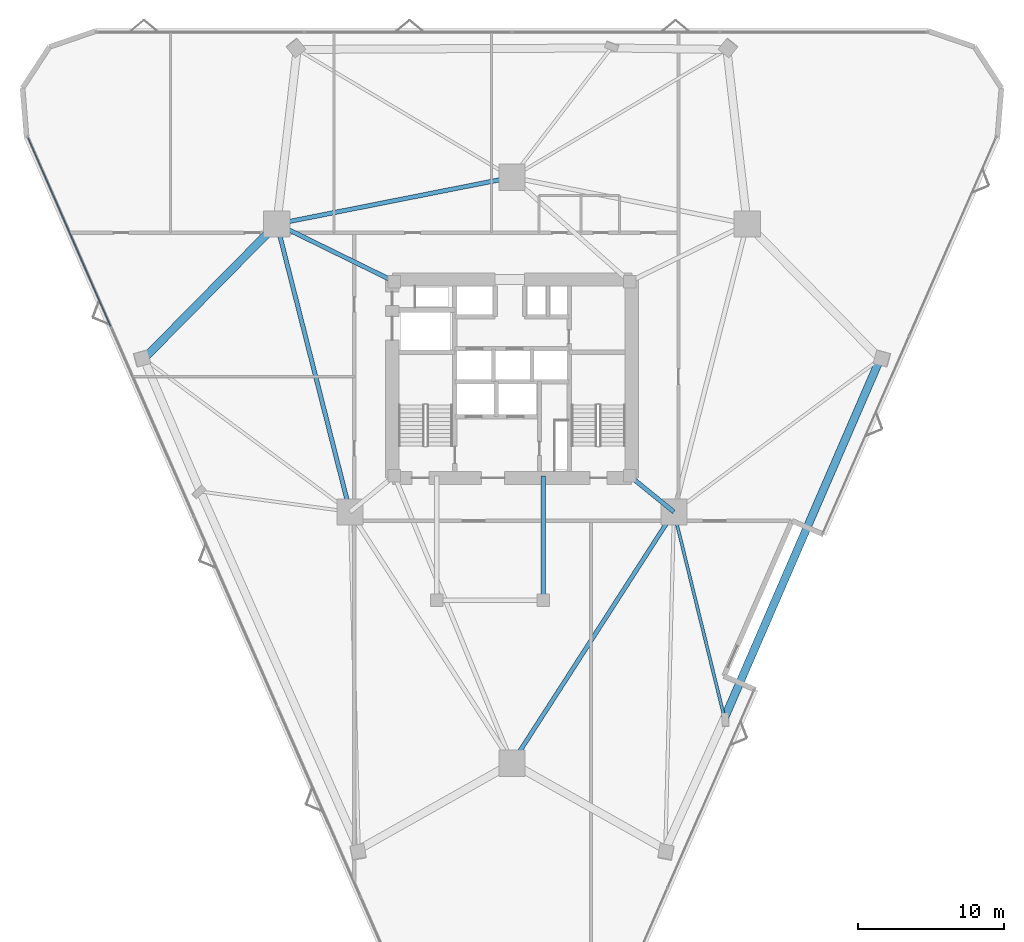
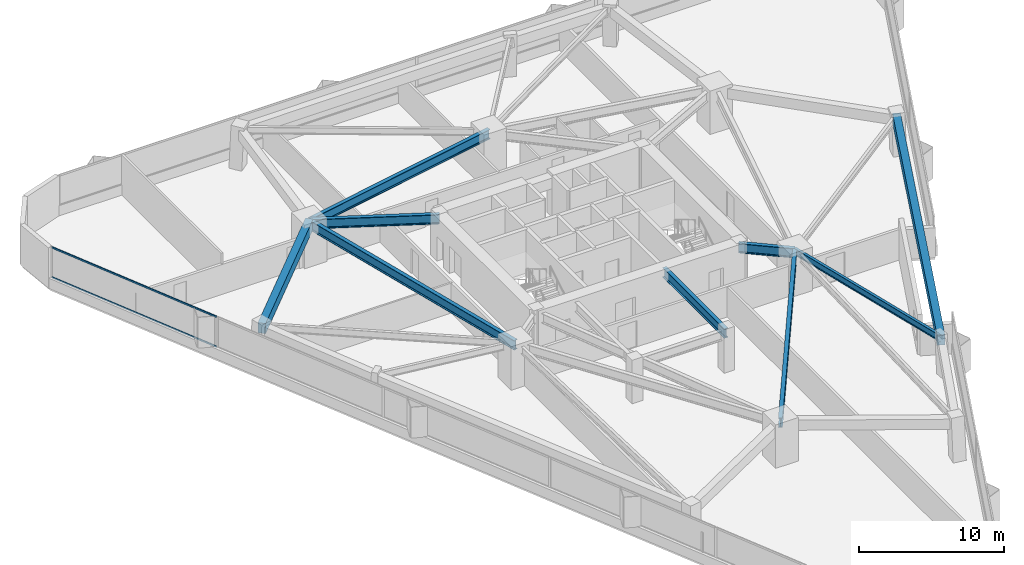
# One storey, part 5 of 14: 9 beams, 2 members, 1 element without a shape of its own.
"""IFC4 building model written with IfcOpenShell, lengths in metres."""

import ifcopenshell
import ifcopenshell.guid

model = None  # the IFC model being written
_history = None  # IfcOwnerHistory: only IFC2X3 demands one
_inside = {}  # id of a spatial element -> (the spatial element, [elements in it])
_under = {}  # id of a project, library or spatial element -> (it, [spatial elements below it])
_declared = {}  # id of a project -> (the project, [libraries it declares])
_typed = {}  # id of a type object -> (the type object, [elements of that type])
_made_of = {}  # id of a material, layer set ... -> (it, [elements and type objects made of it])


def new_model(schema):
    """Start an empty IFC model of exactly this schema.

    Asked for "IFC4X3", IfcOpenShell would pick the latest addendum, in which some entities
    have other attributes; the version numbers below select the first issue.
    IFC2X3 requires an IfcOwnerHistory on every rooted entity: one is made here for all.
    """
    global model, _history
    if schema == "IFC4X3":
        model = ifcopenshell.file(schema_version=(4, 3, 0, 0))
    else:
        model = ifcopenshell.file(schema=schema)
    _inside.clear()
    _under.clear()
    _declared.clear()
    _typed.clear()
    _made_of.clear()
    _history = None
    if model.schema == "IFC2X3":
        org = make("IfcOrganization", Name="unknown")
        user = make(
            "IfcPersonAndOrganization",
            ThePerson=make("IfcPerson", FamilyName="unknown"),
            TheOrganization=org,
        )
        app = make(
            "IfcApplication",
            ApplicationDeveloper=org,
            Version="unknown",
            ApplicationFullName="unknown",
            ApplicationIdentifier="unknown",
        )
        _history = make(
            "IfcOwnerHistory",
            OwningUser=user,
            OwningApplication=app,
            ChangeAction="ADDED",
            CreationDate=0,
        )
    return model


def make(cls, **values):
    """One entity of the class cls with the attributes given. An attribute that is None is left unset."""
    return model.create_entity(
        cls, **{name: value for name, value in values.items() if value is not None}
    )


def rooted(cls, **values):
    """An entity with a GlobalId (a new one), such as an element, a storey or a relation."""
    return make(cls, GlobalId=ifcopenshell.guid.new(), OwnerHistory=_history, **values)


def si_unit(unit_type, name, prefix=None):
    """IfcSIUnit, for example si_unit("LENGTHUNIT", "METRE", prefix="MILLI")."""
    return make("IfcSIUnit", UnitType=unit_type, Prefix=prefix, Name=name)


def assignment(units):
    """IfcUnitAssignment: the units of a project."""
    return None if units is None else make("IfcUnitAssignment", Units=units)


def point(xyz):
    """IfcCartesianPoint."""
    return None if xyz is None else make("IfcCartesianPoint", Coordinates=xyz)


def direction(xyz):
    """IfcDirection."""
    return None if xyz is None else make("IfcDirection", DirectionRatios=xyz)


def frame(location, z_axis=None, x_axis=None):
    """IfcAxis2Placement3D, a coordinate frame: its origin and axes. An axis left out is left unset."""
    return make(
        "IfcAxis2Placement3D",
        Location=point(location),
        Axis=direction(z_axis),
        RefDirection=direction(x_axis),
    )


def frame_2d(location, x_axis=None):
    """IfcAxis2Placement2D, a coordinate frame in the plane: its origin and x axis."""
    return make(
        "IfcAxis2Placement2D", Location=point(location), RefDirection=direction(x_axis)
    )


def origin():
    """The frame at (0, 0, 0) with its axes left unset."""
    return frame((0.0, 0.0, 0.0))


def origin_2d():
    """The frame at (0, 0) in the plane with its x axis left unset."""
    return frame_2d((0.0, 0.0))


def place(relative_to, where):
    """IfcLocalPlacement: puts the frame where relative to a parent placement (None: the world)."""
    return make(
        "IfcLocalPlacement", PlacementRelTo=relative_to, RelativePlacement=where
    )


def context(
    kind, dimensions, precision=None, world=None, true_north=None, identifier=None
):
    """IfcGeometricRepresentationContext, for example the 3D "Model" context."""
    return make(
        "IfcGeometricRepresentationContext",
        ContextIdentifier=identifier,
        ContextType=kind,
        CoordinateSpaceDimension=dimensions,
        Precision=precision,
        WorldCoordinateSystem=world,
        TrueNorth=true_north,
    )


def subcontext(parent, identifier, kind, view, scale=None):
    """IfcGeometricRepresentationSubContext, for example "Body" below "Model"."""
    return make(
        "IfcGeometricRepresentationSubContext",
        ContextIdentifier=identifier,
        ContextType=kind,
        ParentContext=parent,
        TargetScale=scale,
        TargetView=view,
    )


def project(units=None, contexts=None):
    """IfcProject with its units and contexts."""
    return rooted(
        "IfcProject",
        Name="project",
        RepresentationContexts=contexts,
        UnitsInContext=assignment(units),
    )


def spatial(cls, under=None, at=None, **own):
    """A site, building, storey or space (cls), placed at a placement, below another one or the project."""
    s = rooted(cls, ObjectPlacement=at, **own)
    if under is not None:
        _under.setdefault(under.id(), (under, []))[1].append(s)
    return s


def profile(cls, at=None, kind="AREA", **sizes):
    """A parametric profile (cls). Its sizes go by their IFC names, for example OverallWidth=200.0."""
    return make(cls, ProfileType=kind, Position=at, **sizes)


def rectangle(**sizes):
    """IfcRectangleProfileDef."""
    return profile("IfcRectangleProfileDef", **sizes)


def i_section(**sizes):
    """IfcIShapeProfileDef."""
    return profile("IfcIShapeProfileDef", **sizes)


def extrude(swept, where, along, depth):
    """IfcExtrudedAreaSolid: the profile swept, set in the frame where, extruded along a direction by depth."""
    return make(
        "IfcExtrudedAreaSolid",
        SweptArea=swept,
        Position=where,
        ExtrudedDirection=direction(along),
        Depth=depth,
    )


def shape(context_of_items, identifier, shape_type, items):
    """IfcShapeRepresentation: the items that make up one representation, for example the "Body"."""
    return make(
        "IfcShapeRepresentation",
        ContextOfItems=context_of_items,
        RepresentationIdentifier=identifier,
        RepresentationType=shape_type,
        Items=items,
    )


def material(Name=None, Category=None):
    """IfcMaterial."""
    return make("IfcMaterial", Name=Name, Category=Category)


def layer(
    of_material, thickness, ventilated=None, Name=None, Category=None, Priority=None
):
    """IfcMaterialLayer: one layer of a wall or slab, of a material (None: an air gap)."""
    return make(
        "IfcMaterialLayer",
        Material=of_material,
        LayerThickness=thickness,
        IsVentilated=ventilated,
        Name=Name,
        Category=Category,
        Priority=Priority,
    )


def layer_set(layers, Name=None):
    """IfcMaterialLayerSet."""
    return make("IfcMaterialLayerSet", MaterialLayers=layers, LayerSetName=Name)


def material_profile(
    of_material, cross_section, Name=None, Category=None, Priority=None
):
    """IfcMaterialProfile: a cross section and its material."""
    return make(
        "IfcMaterialProfile",
        Name=Name,
        Material=of_material,
        Profile=cross_section,
        Priority=Priority,
        Category=Category,
    )


def profile_set(profiles, Name=None, composite=None):
    """IfcMaterialProfileSet."""
    return make(
        "IfcMaterialProfileSet",
        Name=Name,
        MaterialProfiles=profiles,
        CompositeProfile=composite,
    )


def made_of(thing, what):
    """Note that an element or type object is made of a material, layer set ...; save() writes the relation."""
    if what is not None:
        _made_of.setdefault(what.id(), (what, []))[1].append(thing)
    return thing


def type_object(cls, material=None, **own):
    """A type object (cls), such as IfcWallType, which elements share."""
    return made_of(rooted(cls, **own), material)


def element(
    cls,
    number,
    at=None,
    inside=None,
    cuts=None,
    type_object=None,
    material=None,
    context=None,
    identifier="Body",
    shape_type=None,
    held_by="IfcProductDefinitionShape",
    body=None,
    shapes=None,
    **own,
):
    """One element of the class cls, such as IfcWall. Its Tag is "e" and its number.

    at: its placement. inside: the storey or other place that contains it. cuts: it is an
    opening in that element (IfcRelVoidsElement). A single representation is given by context,
    identifier, shape_type and body (its items); several are given by shapes. held_by: the class
    of the entity that holds the representations. save() writes the other relations.
    """
    e = rooted(cls, Tag="e%d" % number, ObjectPlacement=at, **own)
    if body is not None:
        shapes = [shape(context, identifier, shape_type, body)]
    if shapes is not None:
        e.Representation = make(held_by, Representations=shapes)
    if inside is not None:
        _inside.setdefault(inside.id(), (inside, []))[1].append(e)
    if cuts is not None:
        rooted(
            "IfcRelVoidsElement", RelatingBuildingElement=cuts, RelatedOpeningElement=e
        )
    if type_object is not None:
        _typed.setdefault(type_object.id(), (type_object, []))[1].append(e)
    return made_of(e, material)


def aggregate(whole, parts):
    """IfcRelAggregates: a whole, such as a stair, and the parts it consists of."""
    return rooted("IfcRelAggregates", RelatingObject=whole, RelatedObjects=parts)


def save(model, path):
    """Write the relations noted so far, then the file.

    IfcRelAggregates (storeys below a building ...), IfcRelContainedInSpatialStructure (elements
    in a storey), IfcRelDefinesByType, IfcRelAssociatesMaterial and IfcRelDeclares: one each for
    every whole, place, type object, material and project.
    """
    for whole, parts in _under.values():
        aggregate(whole, parts)
    for where, things in _inside.values():
        rooted(
            "IfcRelContainedInSpatialStructure",
            RelatedElements=things,
            RelatingStructure=where,
        )
    for kind, things in _typed.values():
        rooted("IfcRelDefinesByType", RelatedObjects=things, RelatingType=kind)
    for what, things in _made_of.values():
        rooted("IfcRelAssociatesMaterial", RelatedObjects=things, RelatingMaterial=what)
    for by, libraries in _declared.values():
        rooted("IfcRelDeclares", RelatingContext=by, RelatedDefinitions=libraries)
    model.write(path)


model = new_model("IFC4")

# Units and contexts
model_context = context("Model", 3, precision=1e-05, world=origin(), true_north=direction((0.0, 1.0)))
body_context = subcontext(model_context, "Body", "Model", "MODEL_VIEW")
ifc_project = project(units=[si_unit("LENGTHUNIT", "METRE"), si_unit("AREAUNIT", "SQUARE_METRE"), si_unit("VOLUMEUNIT", "CUBIC_METRE"), si_unit("PLANEANGLEUNIT", "RADIAN"), si_unit("MASSUNIT", "GRAM", prefix="KILO")], contexts=[model_context])

# Site, building, storey
site_placement = place(None, origin())
site = spatial("IfcSite", under=ifc_project, at=site_placement, CompositionType="ELEMENT")
building_placement = place(site_placement, origin())
building = spatial("IfcBuilding", under=site, at=building_placement, Name="Talyreon Biosciences Tower", CompositionType="ELEMENT")
storey_placement = place(building_placement, frame((0.0, 0.0, 48.35009765625)))
storey = spatial("IfcBuildingStorey", under=building, at=storey_placement, Name="L12", CompositionType="ELEMENT", Elevation=48.35009765625)

# Curtain wall, members
ifc_material_1 = material(Name="Thermally broken aluminium and low-E glazing", Category="aluminium")
ifc_layer = layer(ifc_material_1, 0.205078125)
ifc_layer_set = layer_set([ifc_layer], Name="Thermally broken aluminium and low-E glazing")
curtain_wall_type = type_object("IfcCurtainWallType", Name="CurtainWall_SkyGardenLoggia", PredefinedType="NOTDEFINED", material=ifc_layer_set)
curtain_wall_placement = place(storey_placement, origin())
curtain_wall = element("IfcCurtainWall", 1, at=curtain_wall_placement, inside=storey, type_object=curtain_wall_type, Name="L12 Unitised Curtain Wall FCW-L12-15", PredefinedType="NOTDEFINED")
ifc_material_2 = material(Name="Anodised thermally broken aluminium", Category="aluminium")
ifc_material_profile_1 = material_profile(ifc_material_2, rectangle(XDim=0.06494140625, YDim=0.139892578125, at=origin_2d()), Name="ALUM TRANSOM 65x140")
ifc_profile_set_1 = profile_set([ifc_material_profile_1], Name="Anodised thermally broken aluminium")
member_type = type_object("IfcMemberType", Name="CWTransom_65x140", PredefinedType="USERDEFINED", material=ifc_profile_set_1)
member_1_placement = place(storey_placement, frame((38.51025390625, 71.592529296875, 0.84228515625), z_axis=(-0.401093350316, 0.916037185016, 0.0), x_axis=(-0.916037185016, -0.401093350316, 0.0)))
member_1 = element("IfcMember", 2, at=member_1_placement, type_object=member_type, Name="CW7 transom 5.1", ObjectType="TRANSOM", PredefinedType="USERDEFINED", context=body_context, shape_type="SweptSolid", body=[
    extrude(rectangle(XDim=0.06494140625, YDim=0.139892578125, at=origin_2d()), origin(), (0.0, 0.0, 1.0), 14.088623046875),
])
member_2_placement = place(storey_placement, frame((38.51025390625, 71.592529296875, 3.34228515625), z_axis=(-0.401093350316, 0.916037185016, 0.0), x_axis=(-0.916037185016, -0.401093350316, 0.0)))
member_2 = element("IfcMember", 3, at=member_2_placement, type_object=member_type, Name="CW7 transom 5.2", ObjectType="TRANSOM", PredefinedType="USERDEFINED", context=body_context, shape_type="SweptSolid", body=[
    extrude(rectangle(XDim=0.06494140625, YDim=0.139892578125, at=origin_2d()), origin(), (0.0, 0.0, 1.0), 14.088623046875),
])
aggregate(curtain_wall, [member_1, member_2])

# Beams
ifc_material_3 = material(Name="Precast concrete C45/55", Category="concrete")
ifc_material_profile_2 = material_profile(ifc_material_3, rectangle(XDim=0.550048828125, YDim=0.85009765625, at=origin_2d()), Name="RCB 550x850")
ifc_profile_set_2 = profile_set([ifc_material_profile_2], Name="Precast concrete C45/55")
beam_type_1 = type_object("IfcBeamType", Name="ExpressedSpandrel_550x850", PredefinedType="SPANDREL", material=ifc_profile_set_2)
beam_1_placement = place(storey_placement, frame((80.552734375, 44.767822265625, 2.949951171875), z_axis=(0.397634529384, 0.917543885077, 0.0), x_axis=(-0.917543885077, 0.397634529384, 0.0)))
element("IfcBeam", 4, at=beam_1_placement, inside=storey, type_object=beam_type_1, Name="L12 Expressed Horizontal Concrete Spandrel 03", PredefinedType="SPANDREL", context=body_context, shape_type="SweptSolid", body=[
    extrude(rectangle(XDim=0.550048828125, YDim=0.85009765625, at=origin_2d()), origin(), (0.0, 0.0, 1.0), 26.80712890625),
])
beam_2_placement = place(storey_placement, frame((49.897705078125, 78.5986328125, 2.949951171875), z_axis=(-0.702300518704, -0.711880594923, 0.0), x_axis=(0.711880594923, -0.702300518704, 0.0)))
element("IfcBeam", 5, at=beam_2_placement, inside=storey, type_object=beam_type_1, Name="L12 Expressed Horizontal Concrete Spandrel 09", PredefinedType="SPANDREL", context=body_context, shape_type="SweptSolid", body=[
    extrude(rectangle(XDim=0.550048828125, YDim=0.85009765625, at=origin_2d()), origin(), (0.0, 0.0, 1.0), 12.971435546875),
])
ifc_material_4 = material(Name="Steel SM355", Category="steel")
ifc_material_profile_3 = material_profile(ifc_material_4, i_section(OverallWidth=0.300048828125, OverallDepth=0.800048828125, WebThickness=0.017578125, FlangeThickness=0.032958984375, FilletRadius=0.030029296875, at=origin_2d()), Name="HE800B")
ifc_profile_set_3 = profile_set([ifc_material_profile_3], Name="Steel SM355")
beam_type_2 = type_object("IfcBeamType", Name="SteelGirder_HE800B", PredefinedType="BEAM", material=ifc_profile_set_3)
beam_3_placement = place(storey_placement, frame((66.0, 41.6669921875, 2.974853515625), z_axis=(0.541463723609, 0.840724114092, 0.0), x_axis=(-0.840724114092, 0.541463723609, 0.0)))
element("IfcBeam", 6, at=beam_3_placement, inside=storey, type_object=beam_type_2, Name="L12 Mega-Ring Girder 1", PredefinedType="BEAM", context=body_context, shape_type="SweptSolid", body=[
    extrude(i_section(OverallWidth=0.300048828125, OverallDepth=0.800048828125, WebThickness=0.017578125, FlangeThickness=0.032958984375, FilletRadius=0.030029296875, at=origin_2d()), origin(), (0.0, 0.0, 1.0), 20.474365234375),
])
beam_4_placement = place(storey_placement, frame((66.0, 81.788818359375, 2.974853515625), z_axis=(-0.980933730698, -0.194342522311, 0.0), x_axis=(0.194342522311, -0.980933730698, 0.0)))
element("IfcBeam", 7, at=beam_4_placement, inside=storey, type_object=beam_type_2, Name="L12 Mega-Ring Girder 4", PredefinedType="BEAM", context=body_context, shape_type="SweptSolid", body=[
    extrude(i_section(OverallWidth=0.300048828125, OverallDepth=0.800048828125, WebThickness=0.017578125, FlangeThickness=0.032958984375, FilletRadius=0.030029296875, at=origin_2d()), origin(), (0.0, 0.0, 1.0), 16.415283203125),
])
beam_5_placement = place(storey_placement, frame((49.897705078125, 78.5986328125, 2.974853515625), z_axis=(0.246537082299, -0.969133358755, 0.0), x_axis=(0.969133358755, 0.246537082299, 0.0)))
element("IfcBeam", 8, at=beam_5_placement, inside=storey, type_object=beam_type_2, Name="L12 Mega-Ring Girder 5", PredefinedType="BEAM", context=body_context, shape_type="SweptSolid", body=[
    extrude(i_section(OverallWidth=0.300048828125, OverallDepth=0.800048828125, WebThickness=0.017578125, FlangeThickness=0.032958984375, FilletRadius=0.030029296875, at=origin_2d()), origin(), (0.0, 0.0, 1.0), 20.34619140625),
])
beam_6_placement = place(storey_placement, frame((74.050048828125, 61.35009765625, 2.974853515625), z_axis=(0.775755154013, -0.631034025249, 0.0), x_axis=(0.631034025249, 0.775755154013, 0.0)))
element("IfcBeam", 9, at=beam_6_placement, inside=storey, type_object=beam_type_2, Name="L12 Radial Primary Girder 2", PredefinedType="BEAM", context=body_context, shape_type="SweptSolid", body=[
    extrude(i_section(OverallWidth=0.300048828125, OverallDepth=0.800048828125, WebThickness=0.017578125, FlangeThickness=0.032958984375, FilletRadius=0.030029296875, at=origin_2d()), origin(), (0.0, 0.0, 1.0), 3.913818359375),
])
beam_7_placement = place(storey_placement, frame((57.949951171875, 74.64990234375, 2.974853515625), z_axis=(-0.897852360314, 0.440296648952, 0.0), x_axis=(-0.440296648952, -0.897852360314, 0.0)))
element("IfcBeam", 10, at=beam_7_placement, inside=storey, type_object=beam_type_2, Name="L12 Radial Primary Girder 5", PredefinedType="BEAM", context=body_context, shape_type="SweptSolid", body=[
    extrude(i_section(OverallWidth=0.300048828125, OverallDepth=0.800048828125, WebThickness=0.017578125, FlangeThickness=0.032958984375, FilletRadius=0.030029296875, at=origin_2d()), origin(), (0.0, 0.0, 1.0), 8.96826171875),
])
beam_8_placement = place(storey_placement, frame((68.14990234375, 52.840087890625, 2.974853515625), z_axis=(0.0, 1.0, 0.0), x_axis=(-1.0, 0.0, 0.0)))
element("IfcBeam", 11, at=beam_8_placement, inside=storey, type_object=beam_type_2, Name="L12 Crown Shaft Tie Girder E", PredefinedType="BEAM", context=body_context, shape_type="SweptSolid", body=[
    extrude(i_section(OverallWidth=0.300048828125, OverallDepth=0.800048828125, WebThickness=0.017578125, FlangeThickness=0.032958984375, FilletRadius=0.030029296875, at=origin_2d()), origin(), (0.0, 0.0, 1.0), 8.510009765625),
])
ifc_material_profile_4 = material_profile(ifc_material_4, i_section(OverallWidth=0.2099609375, OverallDepth=0.550048828125, WebThickness=0.010986328125, FlangeThickness=0.01708984375, FilletRadius=0.02392578125, at=origin_2d()), Name="IPE550")
ifc_profile_set_4 = profile_set([ifc_material_profile_4], Name="Steel SM355")
beam_type_3 = type_object("IfcBeamType", Name="SteelJoist_IPE550", PredefinedType="JOIST", material=ifc_profile_set_4)
beam_9_placement = place(storey_placement, frame((77.086181640625, 58.88037109375, 3.099853515625), z_axis=(0.238545027066, -0.971131438098, 0.0), x_axis=(0.971131438098, 0.238545027066, 0.0)))
element("IfcBeam", 12, at=beam_9_placement, inside=storey, type_object=beam_type_3, Name="L12 Radial Composite Floor Joist PL-SE", PredefinedType="JOIST", context=body_context, shape_type="SweptSolid", body=[
    extrude(i_section(OverallWidth=0.2099609375, OverallDepth=0.550048828125, WebThickness=0.010986328125, FlangeThickness=0.01708984375, FilletRadius=0.02392578125, at=origin_2d()), origin(), (0.0, 0.0, 1.0), 14.531982421875),
])

save(model, "model.ifc")
